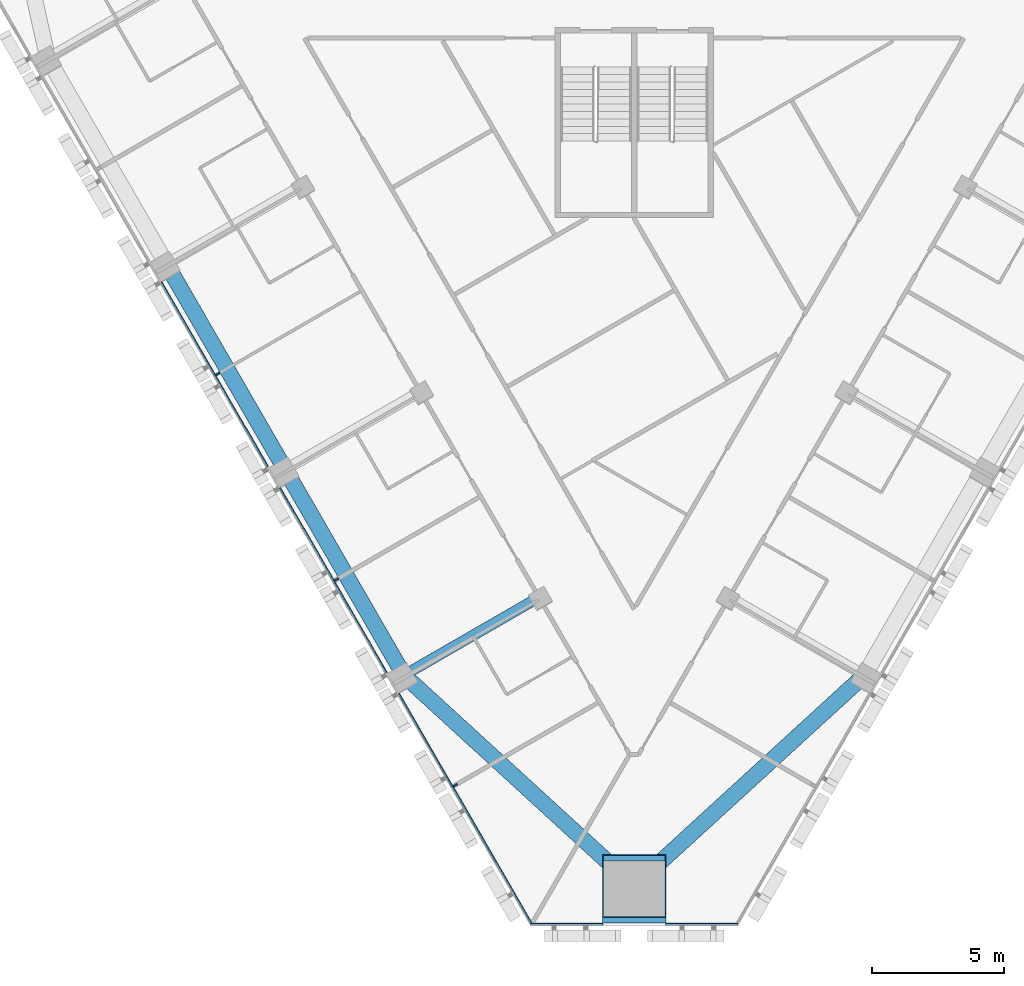
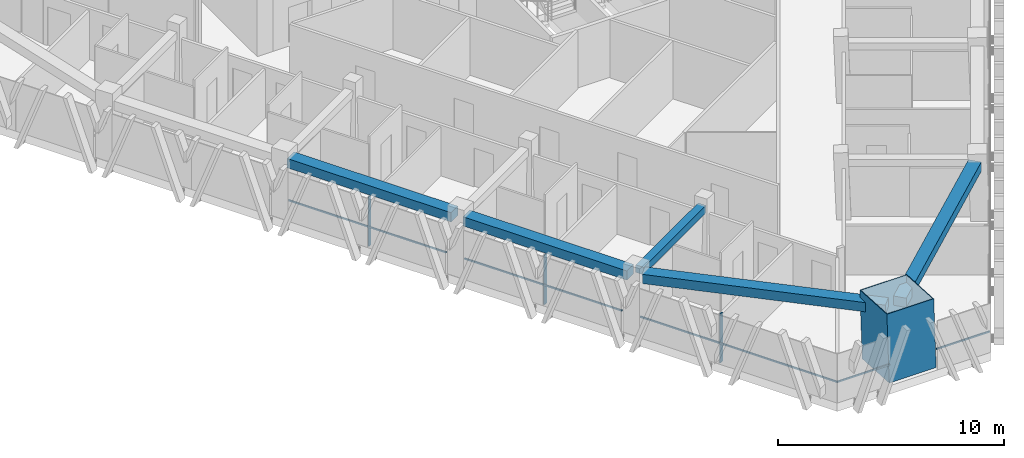
# One storey, part 2 of 16: 9 members, 5 beams, 2 elements without a shape of their own.
"""IFC4 building model written with IfcOpenShell, lengths in metres."""

from ifc_helpers import new_model, si_unit, direction, frame, origin, origin_2d, place, context, subcontext, project, spatial, rectangle, hollow_rectangle, extrude, material, layer, layer_set, material_profile, profile_set, type_object, element, aggregate, save


model = new_model("IFC4")

# Units and contexts
model_context = context("Model", 3, precision=1e-05, world=origin(), true_north=direction((0.0, 1.0)))
body_context = subcontext(model_context, "Body", "Model", "MODEL_VIEW")
ifc_project = project(units=[si_unit("LENGTHUNIT", "METRE"), si_unit("AREAUNIT", "SQUARE_METRE"), si_unit("VOLUMEUNIT", "CUBIC_METRE"), si_unit("PLANEANGLEUNIT", "RADIAN"), si_unit("MASSUNIT", "GRAM", prefix="KILO")], contexts=[model_context])

# Site, building, storey
site_placement = place(None, origin())
site = spatial("IfcSite", under=ifc_project, at=site_placement, CompositionType="ELEMENT")
building_placement = place(site_placement, origin())
building = spatial("IfcBuilding", under=site, at=building_placement, Name="Altiplano Prism Tower", CompositionType="ELEMENT")
storey_placement = place(building_placement, frame((0.0, 0.0, 127.800048828125)))
storey = spatial("IfcBuildingStorey", under=building, at=storey_placement, Name="L32", CompositionType="ELEMENT", Elevation=127.800048828125)

# Curtain wall, members
ifc_material_1 = material(Name="Aluminium and glass", Category="aluminium")
ifc_layer = layer(ifc_material_1, 0.280029296875)
ifc_layer_set = layer_set([ifc_layer], Name="Aluminium and glass")
curtain_wall_type = type_object("IfcCurtainWallType", Name="CW1 typical co-living unitised curtain wall", PredefinedType="NOTDEFINED", material=ifc_layer_set)
curtain_wall_1_placement = place(storey_placement, origin())
curtain_wall_1 = element("IfcCurtainWall", 1, at=curtain_wall_1_placement, inside=storey, type_object=curtain_wall_type, Name="CW1 curtain wall south-west face L32", PredefinedType="NOTDEFINED")
ifc_material_2 = material(Name="Aluminium", Category="aluminium")
ifc_material_profile_1 = material_profile(ifc_material_2, rectangle(XDim=0.179931640625, YDim=0.06494140625, at=origin_2d()), Name="CW1 mullion 65 x 180")
ifc_profile_set_1 = profile_set([ifc_material_profile_1], Name="Aluminium")
member_type_1 = type_object("IfcMemberType", Name="CW1 mullion 65 x 180", PredefinedType="MULLION", material=ifc_profile_set_1)
member_1_placement = place(storey_placement, frame((69.2177734375, 77.474365234375, 0.0), z_axis=(0.0, 0.0, 1.0), x_axis=(0.866025403531, 0.500000000438, 0.0)))
member_1 = element("IfcMember", 2, at=member_1_placement, type_object=member_type_1, Name="CW1 mullion", PredefinedType="MULLION", context=body_context, shape_type="SweptSolid", body=[
    extrude(rectangle(XDim=0.179931640625, YDim=0.06494140625, at=origin_2d()), origin(), (0.0, 0.0, 1.0), 2.64990234375),
])
member_2_placement = place(storey_placement, frame((73.7177734375, 69.68017578125, 0.0), z_axis=(0.0, 0.0, 1.0), x_axis=(0.866025403531, 0.500000000438, 0.0)))
member_2 = element("IfcMember", 3, at=member_2_placement, type_object=member_type_1, Name="CW1 mullion", PredefinedType="MULLION", context=body_context, shape_type="SweptSolid", body=[
    extrude(rectangle(XDim=0.179931640625, YDim=0.06494140625, at=origin_2d()), origin(), (0.0, 0.0, 1.0), 2.64990234375),
])
member_3_placement = place(storey_placement, frame((78.2177734375, 61.8857421875, 0.0), z_axis=(0.0, 0.0, 1.0), x_axis=(0.866025403531, 0.500000000438, 0.0)))
member_3 = element("IfcMember", 4, at=member_3_placement, type_object=member_type_1, Name="CW1 mullion", PredefinedType="MULLION", context=body_context, shape_type="SweptSolid", body=[
    extrude(rectangle(XDim=0.179931640625, YDim=0.06494140625, at=origin_2d()), origin(), (0.0, 0.0, 1.0), 2.64990234375),
])
ifc_material_profile_2 = material_profile(ifc_material_2, rectangle(XDim=0.06005859375, YDim=0.080078125, at=origin_2d()), Name="CW1 transom 80 x 60")
ifc_profile_set_2 = profile_set([ifc_material_profile_2], Name="Aluminium")
member_type_2 = type_object("IfcMemberType", Name="CW1 transom 80 x 60", PredefinedType="USERDEFINED", material=ifc_profile_set_2)
member_4_placement = place(storey_placement, frame((67.07666015625, 80.94287109375, 1.099853515625), z_axis=(0.499994808408, -0.866028401131, 0.0), x_axis=(0.866028401131, 0.499994808408, 0.0)))
member_4 = element("IfcMember", 5, at=member_4_placement, type_object=member_type_2, Name="CW1 transom", ObjectType="TRANSOM", PredefinedType="USERDEFINED", context=body_context, shape_type="SweptSolid", body=[
    extrude(rectangle(XDim=0.06005859375, YDim=0.080078125, at=origin_2d()), origin(), (0.0, 0.0, 1.0), 8.06982421875),
])
member_5_placement = place(storey_placement, frame((71.57666015625, 73.1484375, 1.099853515625), z_axis=(0.500007908628, -0.866020837688, 0.0), x_axis=(0.866020837688, 0.500007908628, 0.0)))
member_5 = element("IfcMember", 6, at=member_5_placement, type_object=member_type_2, Name="CW1 transom", ObjectType="TRANSOM", PredefinedType="USERDEFINED", context=body_context, shape_type="SweptSolid", body=[
    extrude(rectangle(XDim=0.06005859375, YDim=0.080078125, at=origin_2d()), origin(), (0.0, 0.0, 1.0), 8.069580078125),
])
member_6_placement = place(storey_placement, frame((76.07666015625, 65.354248046875, 1.099853515625), z_axis=(0.499998719078, -0.866026143324, 0.0), x_axis=(0.866026143324, 0.499998719078, 0.0)))
member_6 = element("IfcMember", 7, at=member_6_placement, type_object=member_type_2, Name="CW1 transom", ObjectType="TRANSOM", PredefinedType="USERDEFINED", context=body_context, shape_type="SweptSolid", body=[
    extrude(rectangle(XDim=0.06005859375, YDim=0.080078125, at=origin_2d()), origin(), (0.0, 0.0, 1.0), 10.123046875),
])
aggregate(curtain_wall_1, [member_1, member_4, member_2, member_5, member_3, member_6])

curtain_wall_2_placement = place(storey_placement, origin())
curtain_wall_2 = element("IfcCurtainWall", 8, at=curtain_wall_2_placement, inside=storey, type_object=curtain_wall_type, Name="CW1 curtain wall south chamfer L32", PredefinedType="NOTDEFINED")
member_7_placement = place(storey_placement, frame((81.07763671875, 56.622314453125, 1.099853515625), z_axis=(1.0, 0.0, 0.0), x_axis=(0.0, 1.0, 0.0)))
member_7 = element("IfcMember", 9, at=member_7_placement, type_object=member_type_2, Name="CW1 transom", ObjectType="TRANSOM", PredefinedType="USERDEFINED", context=body_context, shape_type="SweptSolid", body=[
    extrude(rectangle(XDim=0.06005859375, YDim=0.080078125, at=origin_2d()), origin(), (0.0, 0.0, 1.0), 2.722412109375),
])
member_8_placement = place(storey_placement, frame((86.199951171875, 56.622314453125, 1.099853515625), z_axis=(1.0, 0.0, 0.0), x_axis=(0.0, 1.0, 0.0)))
member_8 = element("IfcMember", 10, at=member_8_placement, type_object=member_type_2, Name="CW1 transom", ObjectType="TRANSOM", PredefinedType="USERDEFINED", context=body_context, shape_type="SweptSolid", body=[
    extrude(rectangle(XDim=0.06005859375, YDim=0.080078125, at=origin_2d()), origin(), (0.0, 0.0, 1.0), 2.722412109375),
])
aggregate(curtain_wall_2, [member_7, member_8])

# Beams
ifc_material_3 = material(Name="Concrete C60/75", Category="concrete")
ifc_material_profile_3 = material_profile(ifc_material_3, rectangle(XDim=0.60009765625, YDim=0.5, at=origin_2d()), Name="Edge beam 600x500")
ifc_profile_set_3 = profile_set([ifc_material_profile_3], Name="Concrete C60/75")
beam_type_1 = type_object("IfcBeamType", Name="Edge beam 600x500", PredefinedType="SPANDREL", material=ifc_profile_set_3)
for number, where, z_axis, x_axis, name in (
    (11, (67.42529296875, 81.375732421875, 2.89990234375), (0.500010445942, -0.866019372733, 0.0), (0.866019372733, 0.500010445942, 0.0), "Edge beam P12-P13 L33"),
    (12, (71.92529296875, 73.58154296875, 2.89990234375), (0.500010445942, -0.866019372733, 0.0), (0.866019372733, 0.500010445942, 0.0), "Edge beam P13-P14 L33"),
):
    element("IfcBeam", number, at=place(storey_placement, frame(where, z_axis=z_axis, x_axis=x_axis)), inside=storey, type_object=beam_type_1, Name=name, PredefinedType="SPANDREL", context=body_context, shape_type="SweptSolid", body=[
        extrude(rectangle(XDim=0.60009765625, YDim=0.5, at=origin_2d()), origin(), (0.0, 0.0, 1.0), 8.389892578125),
    ])
for number, where, z_axis, x_axis, name in (
    (13, (76.51318359375, 65.83154296875, 2.89990234375), (0.737621459954, -0.675214470976, 0.0), (0.675214470976, 0.737621459954, 0.0), "Edge beam P14-M1 L33"),
    (14, (85.33203125, 58.36669921875, 2.89990234375), (0.737621459954, 0.675214470976, 0.0), (-0.675214470976, 0.737621459954, 0.0), "Edge beam M1-P21 L33"),
):
    element("IfcBeam", number, at=place(storey_placement, frame(where, z_axis=z_axis, x_axis=x_axis)), inside=storey, type_object=beam_type_1, Name=name, PredefinedType="SPANDREL", context=body_context, shape_type="SweptSolid", body=[
        extrude(rectangle(XDim=0.60009765625, YDim=0.5, at=origin_2d()), origin(), (0.0, 0.0, 1.0), 11.055419921875),
    ])

# Member
ifc_material_4 = material(Name="Steel S460", Category="steel")
ifc_material_profile_4 = material_profile(ifc_material_4, hollow_rectangle(XDim=2.39990234375, YDim=2.39990234375, WallThickness=0.0400390625, at=origin_2d()), Name="Mega column tube 2400")
ifc_profile_set_4 = profile_set([ifc_material_profile_4], Name="Steel S460")
member_type_3 = type_object("IfcMemberType", Name="Mega column tube 2400", PredefinedType="POST", material=ifc_profile_set_4)
member_9_placement = place(storey_placement, frame((85.0, 57.852294921875, 0.0), z_axis=(0.0, 0.058360852261, 0.998295552892), x_axis=(-1.0, 0.0, 0.0)))
element("IfcMember", 15, at=member_9_placement, inside=storey, type_object=member_type_3, Name="Mega column tube M1 L32", PredefinedType="POST", context=body_context, shape_type="SweptSolid", body=[
    extrude(hollow_rectangle(XDim=2.39990234375, YDim=2.39990234375, WallThickness=0.0400390625, at=origin_2d()), origin(), (0.0, 0.0, 1.0), 3.60595703125),
])

# Beam
ifc_material_profile_5 = material_profile(ifc_material_3, rectangle(XDim=0.39990234375, YDim=0.39990234375, at=origin_2d()), Name="Tie beam 400x400")
ifc_profile_set_5 = profile_set([ifc_material_profile_5], Name="Concrete C60/75")
beam_type_2 = type_object("IfcBeamType", Name="Tie beam 400x400", PredefinedType="BEAM", material=ifc_profile_set_5)
beam_placement = place(storey_placement, frame((81.334716796875, 68.973876953125, 2.949951171875), z_axis=(-0.866035138728, -0.499983138205, 0.0), x_axis=(0.499983138205, -0.866035138728, 0.0)))
element("IfcBeam", 16, at=beam_placement, inside=storey, type_object=beam_type_2, Name="Tie beam I14 L33", PredefinedType="BEAM", context=body_context, shape_type="SweptSolid", body=[
    extrude(rectangle(XDim=0.39990234375, YDim=0.39990234375, at=origin_2d()), origin(), (0.0, 0.0, 1.0), 5.539794921875),
])

save(model, "model.ifc")
